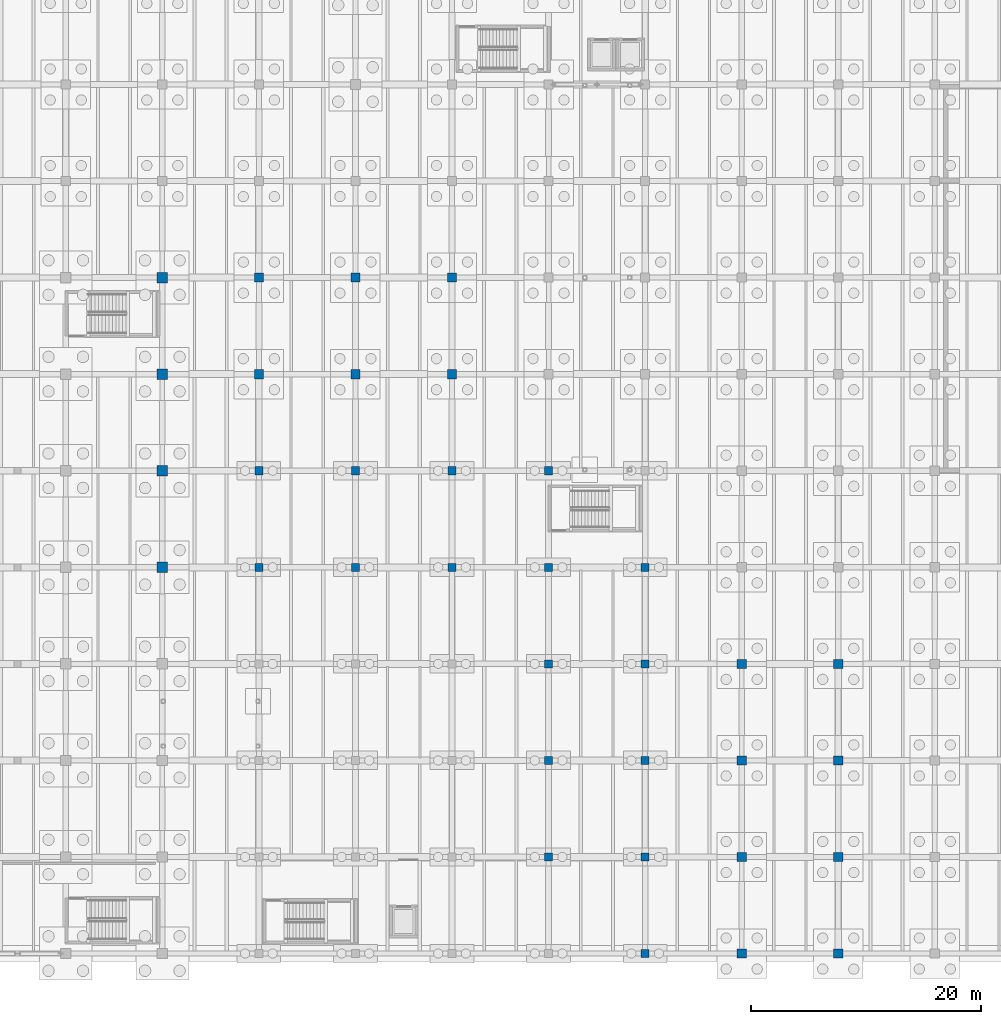
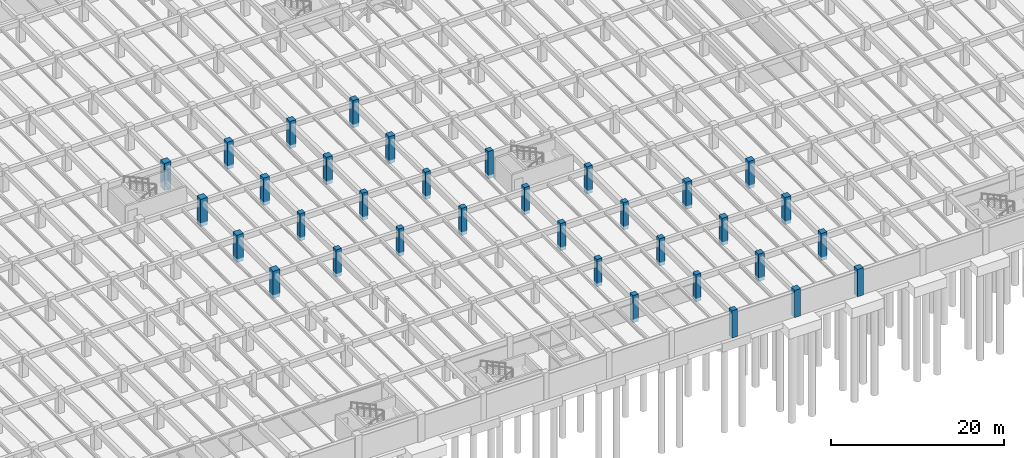
# One storey, part 16 of 70: 34 columns.
"""IFC4 building model written with IfcOpenShell, lengths in metres."""

from ifc_helpers import new_model, si_unit, direction, frame, origin, origin_2d, place, context, subcontext, project, spatial, rectangle, extrude, material, material_profile, profile_set, type_object, element, save


model = new_model("IFC4")

# Units and contexts
model_context = context("Model", 3, precision=1e-05, world=origin(), true_north=direction((0.0, 1.0)))
body_context = subcontext(model_context, "Body", "Model", "MODEL_VIEW")
ifc_project = project(units=[si_unit("LENGTHUNIT", "METRE"), si_unit("AREAUNIT", "SQUARE_METRE"), si_unit("VOLUMEUNIT", "CUBIC_METRE"), si_unit("PLANEANGLEUNIT", "RADIAN"), si_unit("MASSUNIT", "GRAM", prefix="KILO")], contexts=[model_context])

# Site, building, storey
site_placement = place(None, origin())
site = spatial("IfcSite", under=ifc_project, at=site_placement, CompositionType="ELEMENT")
building_placement = place(site_placement, origin())
building = spatial("IfcBuilding", under=site, at=building_placement, Name="Cumbredor Promenade Congress Hotel", CompositionType="ELEMENT")
storey_placement = place(building_placement, frame((0.0, 0.0, -7.56005859375)))
storey = spatial("IfcBuildingStorey", under=building, at=storey_placement, Name="B02", CompositionType="ELEMENT", Elevation=-7.56005859375)

# Columns
ifc_material_1 = material(Name="Concrete C40/50", Category="concrete")
ifc_material_profile_1 = material_profile(ifc_material_1, rectangle(XDim=0.699951171875, YDim=0.699951171875, at=origin_2d()), Name="RC 700x700")
ifc_profile_set_1 = profile_set([ifc_material_profile_1], Name="Concrete C40/50")
column_type_1 = type_object("IfcColumnType", Name="COL-RC-700", PredefinedType="COLUMN", material=ifc_profile_set_1)
for number, where, z_axis, x_axis, name in (
    (1, (75.60009765625, 42.0, -0.5), (0.0, 0.0, 1.0), (1.0, 0.0, 0.0), "B02 Structural Column 118"),
    (2, (75.60009765625, 50.39990234375, -0.5), (0.0, 0.0, 1.0), (1.0, 0.0, 0.0), "B02 Structural Column 119"),
    (3, (84.0, 42.0, -0.5), (0.0, 0.0, 1.0), (1.0, 0.0, 0.0), "B02 Structural Column 132"),
    (4, (84.0, 50.39990234375, -0.5), (0.0, 0.0, 1.0), (1.0, 0.0, 0.0), "B02 Structural Column 133"),
    (5, (92.39990234375, 42.0, -0.5), (0.0, 0.0, 1.0), (1.0, 0.0, 0.0), "B02 Structural Column 146"),
    (6, (92.39990234375, 50.39990234375, -0.5), (0.0, 0.0, 1.0), (1.0, 0.0, 0.0), "B02 Structural Column 147"),
    (7, (100.800048828125, 16.800048828125, -0.5), (0.0, 0.0, 1.0), (1.0, 0.0, 0.0), "B02 Structural Column 157"),
    (8, (100.800048828125, 25.199951171875, -0.5), (0.0, 0.0, 1.0), (1.0, 0.0, 0.0), "B02 Structural Column 158"),
    (9, (100.800048828125, 33.60009765625, -0.5), (0.0, 0.0, 1.0), (1.0, 0.0, 0.0), "B02 Structural Column 159"),
    (10, (100.800048828125, 42.0, -0.5), (0.0, 0.0, 1.0), (1.0, 0.0, 0.0), "B02 Structural Column 160"),
    (11, (100.800048828125, 50.39990234375, -0.5), (0.0, 0.0, 1.0), (1.0, 0.0, 0.0), "B02 Structural Column 161"),
    (12, (109.199951171875, 8.39990234375, -0.5), (0.0, 0.0, 1.0), (1.0, 0.0, 0.0), "B02 Structural Column 170"),
    (13, (109.199951171875, 16.800048828125, -0.5), (0.0, 0.0, 1.0), (1.0, 0.0, 0.0), "B02 Structural Column 171"),
    (14, (109.199951171875, 25.199951171875, -0.5), (0.0, 0.0, 1.0), (1.0, 0.0, 0.0), "B02 Structural Column 172"),
    (15, (109.199951171875, 33.60009765625, -0.5), (0.0, 0.0, 1.0), (1.0, 0.0, 0.0), "B02 Structural Column 173"),
    (16, (109.199951171875, 42.0, -0.5), (0.0, 0.0, 1.0), (1.0, 0.0, 0.0), "B02 Structural Column 174"),
):
    element("IfcColumn", number, at=place(storey_placement, frame(where, z_axis=z_axis, x_axis=x_axis)), inside=storey, type_object=column_type_1, Name=name, PredefinedType="COLUMN", context=body_context, shape_type="SweptSolid", body=[
        extrude(rectangle(XDim=0.699951171875, YDim=0.699951171875, at=origin_2d()), origin(), (0.0, 0.0, 1.0), 3.860107421875),
    ])
ifc_material_2 = material(Name="Concrete C50/60", Category="concrete")
ifc_material_profile_2 = material_profile(ifc_material_2, rectangle(XDim=0.800048828125, YDim=0.800048828125, at=origin_2d()), Name="RC 800x800")
ifc_profile_set_2 = profile_set([ifc_material_profile_2], Name="Concrete C50/60")
column_type_2 = type_object("IfcColumnType", Name="COL-RC-800", PredefinedType="COLUMN", material=ifc_profile_set_2)
for number, where, z_axis, x_axis, name in (
    (17, (75.60009765625, 58.800048828125, -0.5), (0.0, 0.0, 1.0), (1.0, 0.0, 0.0), "B02 Structural Column 120"),
    (18, (75.60009765625, 67.199951171875, -0.5), (0.0, 0.0, 1.0), (1.0, 0.0, 0.0), "B02 Structural Column 121"),
    (19, (84.0, 58.800048828125, -0.5), (0.0, 0.0, 1.0), (1.0, 0.0, 0.0), "B02 Structural Column 134"),
    (20, (84.0, 67.199951171875, -0.5), (0.0, 0.0, 1.0), (1.0, 0.0, 0.0), "B02 Structural Column 135"),
    (21, (92.39990234375, 58.800048828125, -0.5), (0.0, 0.0, 1.0), (1.0, 0.0, 0.0), "B02 Structural Column 148"),
    (22, (92.39990234375, 67.199951171875, -0.5), (0.0, 0.0, 1.0), (1.0, 0.0, 0.0), "B02 Structural Column 149"),
    (23, (117.60009765625, 8.39990234375, -0.5), (0.0, 0.0, 1.0), (1.0, 0.0, 0.0), "B02 Structural Column 184"),
    (24, (117.60009765625, 16.800048828125, -0.5), (0.0, 0.0, 1.0), (1.0, 0.0, 0.0), "B02 Structural Column 185"),
    (25, (117.60009765625, 25.199951171875, -0.5), (0.0, 0.0, 1.0), (1.0, 0.0, 0.0), "B02 Structural Column 186"),
    (26, (117.60009765625, 33.60009765625, -0.5), (0.0, 0.0, 1.0), (1.0, 0.0, 0.0), "B02 Structural Column 187"),
    (27, (126.0, 8.39990234375, -0.5), (0.0, 0.0, 1.0), (1.0, 0.0, 0.0), "B02 Structural Column 198"),
    (28, (126.0, 16.800048828125, -0.5), (0.0, 0.0, 1.0), (1.0, 0.0, 0.0), "B02 Structural Column 199"),
    (29, (126.0, 25.199951171875, -0.5), (0.0, 0.0, 1.0), (1.0, 0.0, 0.0), "B02 Structural Column 200"),
    (30, (126.0, 33.60009765625, -0.5), (0.0, 0.0, 1.0), (1.0, 0.0, 0.0), "B02 Structural Column 201"),
):
    element("IfcColumn", number, at=place(storey_placement, frame(where, z_axis=z_axis, x_axis=x_axis)), inside=storey, type_object=column_type_2, Name=name, PredefinedType="COLUMN", context=body_context, shape_type="SweptSolid", body=[
        extrude(rectangle(XDim=0.800048828125, YDim=0.800048828125, at=origin_2d()), origin(), (0.0, 0.0, 1.0), 3.860107421875),
    ])
ifc_material_profile_3 = material_profile(ifc_material_2, rectangle(XDim=0.89990234375, YDim=0.89990234375, at=origin_2d()), Name="RC 900x900")
ifc_profile_set_3 = profile_set([ifc_material_profile_3], Name="Concrete C50/60")
column_type_3 = type_object("IfcColumnType", Name="COL-RC-900", PredefinedType="COLUMN", material=ifc_profile_set_3)
for number, where, z_axis, x_axis, name in (
    (31, (67.199951171875, 42.0, -0.5), (0.0, 0.0, 1.0), (1.0, 0.0, 0.0), "B02 Structural Column 104"),
    (32, (67.199951171875, 50.39990234375, -0.5), (0.0, 0.0, 1.0), (1.0, 0.0, 0.0), "B02 Structural Column 105"),
    (33, (67.199951171875, 58.800048828125, -0.5), (0.0, 0.0, 1.0), (1.0, 0.0, 0.0), "B02 Structural Column 106"),
    (34, (67.199951171875, 67.199951171875, -0.5), (0.0, 0.0, 1.0), (1.0, 0.0, 0.0), "B02 Structural Column 107"),
):
    element("IfcColumn", number, at=place(storey_placement, frame(where, z_axis=z_axis, x_axis=x_axis)), inside=storey, type_object=column_type_3, Name=name, PredefinedType="COLUMN", context=body_context, shape_type="SweptSolid", body=[
        extrude(rectangle(XDim=0.89990234375, YDim=0.89990234375, at=origin_2d()), origin(), (0.0, 0.0, 1.0), 3.860107421875),
    ])

save(model, "model.ifc")
